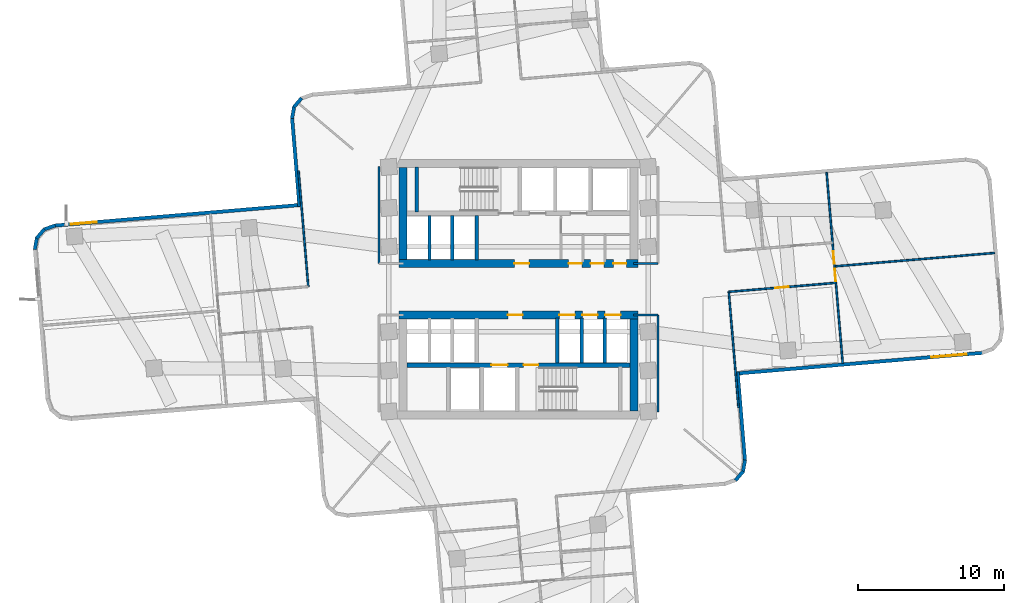
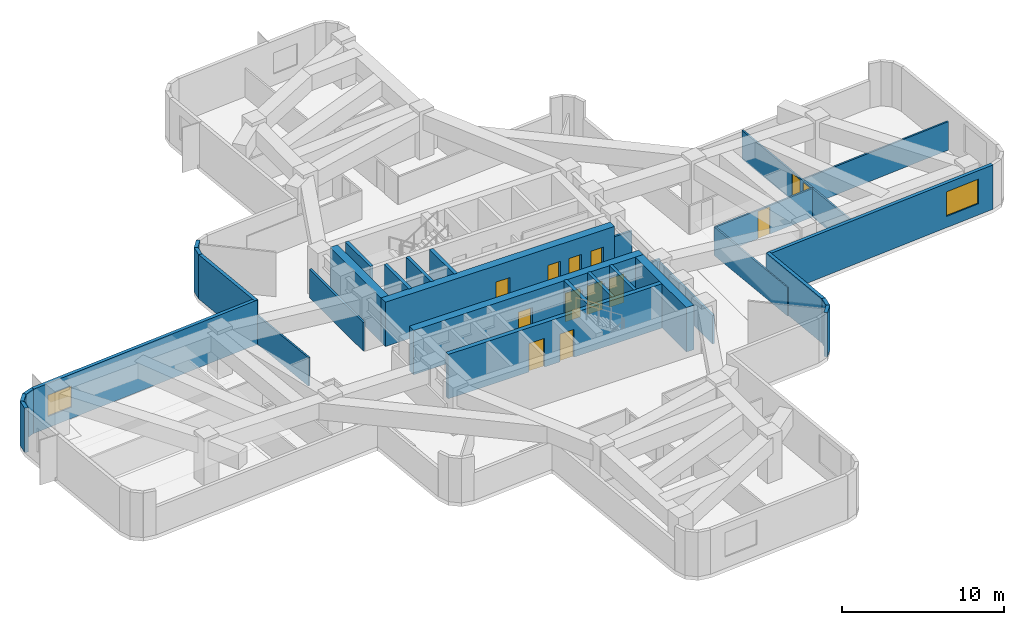
# One storey, part 4 of 11: 32 walls, 13 doors, 2 windows, 15 openings.
"""IFC4 building model written with IfcOpenShell, lengths in metres."""

from ifc_helpers import new_model, si_unit, direction, frame, frame_2d, origin, place, context, subcontext, project, spatial, rectangle, extrude, material, layer, layer_set, type_object, element, fill, save


model = new_model("IFC4")

# Units and contexts
model_context = context("Model", 3, precision=1e-05, world=origin(), true_north=direction((0.0, 1.0)))
body_context = subcontext(model_context, "Body", "Model", "MODEL_VIEW")
ifc_project = project(units=[si_unit("LENGTHUNIT", "METRE"), si_unit("AREAUNIT", "SQUARE_METRE"), si_unit("VOLUMEUNIT", "CUBIC_METRE"), si_unit("PLANEANGLEUNIT", "RADIAN"), si_unit("MASSUNIT", "GRAM", prefix="KILO")], contexts=[model_context])

# Site, building, storey
site_placement = place(None, origin())
site = spatial("IfcSite", under=ifc_project, at=site_placement, CompositionType="ELEMENT")
building_placement = place(site_placement, origin())
building = spatial("IfcBuilding", under=site, at=building_placement, Name="Solmarez Civic Tower", CompositionType="ELEMENT")
storey_placement = place(building_placement, frame((0.0, 0.0, 64.080078125)))
storey = spatial("IfcBuildingStorey", under=building, at=storey_placement, Name="L16", CompositionType="ELEMENT", Elevation=64.080078125)

# Wall, openings, doors
ifc_material_1 = material(Name="Concrete C60/75", Category="concrete")
ifc_layer_1 = layer(ifc_material_1, 0.550048828125)
ifc_layer_set_1 = layer_set([ifc_layer_1], Name="Concrete C60/75")
wall_type_1 = type_object("IfcWallType", Name="WALL-CORE-550", PredefinedType="SHEAR", material=ifc_layer_set_1)
wall_1_placement = place(storey_placement, frame((8.169921875, 1.75, 0.0), z_axis=(0.0, 0.0, 1.0), x_axis=(-1.0, 0.0, 0.0)))
wall_1 = element("IfcWall", 1, at=wall_1_placement, inside=storey, type_object=wall_type_1, Name="L16 Split-Core Structural Wall NCW-S-L16", PredefinedType="SHEAR", context=body_context, shape_type="SweptSolid", body=[
    extrude(rectangle(XDim=16.33984375, YDim=0.550048828125, at=frame_2d((8.169921875, 0.0))), origin(), (0.0, 0.0, 1.0), 3.33984375),
])
opening_1_placement = place(wall_1_placement, frame((7.449951171875, 0.0, 0.0)))
opening_1 = element("IfcOpeningElement", 2, at=opening_1_placement, cuts=wall_1, Name="Opening D-04", PredefinedType="OPENING", context=body_context, shape_type="SweptSolid", body=[
    extrude(rectangle(XDim=1.0, YDim=2.10009765625, at=frame_2d((0.5, 1.050048828125))), frame((0.0, 0.284912109375, 0.0), z_axis=(0.0, -1.0, 0.0), x_axis=(1.0, 0.0, 0.0)), (0.0, 0.0, 1.0), 0.570068359375),
])
opening_2_placement = place(wall_1_placement, frame((3.85009765625, 0.0, 0.0)))
opening_2 = element("IfcOpeningElement", 3, at=opening_2_placement, cuts=wall_1, Name="Opening D-09", PredefinedType="OPENING", context=body_context, shape_type="SweptSolid", body=[
    extrude(rectangle(XDim=0.89990234375, YDim=2.06005859375, at=frame_2d((0.449951171875, 1.030029296875))), frame((0.0, 0.284912109375, 0.0), z_axis=(0.0, -1.0, 0.0), x_axis=(1.0, 0.0, 0.0)), (0.0, 0.0, 1.0), 0.570068359375),
])
opening_3_placement = place(wall_1_placement, frame((2.35009765625, 0.0, 0.0)))
opening_3 = element("IfcOpeningElement", 4, at=opening_3_placement, cuts=wall_1, Name="Opening D-09", PredefinedType="OPENING", context=body_context, shape_type="SweptSolid", body=[
    extrude(rectangle(XDim=0.89990234375, YDim=2.06005859375, at=frame_2d((0.449951171875, 1.030029296875))), frame((0.0, 0.284912109375, 0.0), z_axis=(0.0, -1.0, 0.0), x_axis=(1.0, 0.0, 0.0)), (0.0, 0.0, 1.0), 0.570068359375),
])
opening_4_placement = place(wall_1_placement, frame((0.800048828125, 0.0, 0.0)))
opening_4 = element("IfcOpeningElement", 5, at=opening_4_placement, cuts=wall_1, Name="Opening D-09", PredefinedType="OPENING", context=body_context, shape_type="SweptSolid", body=[
    extrude(rectangle(XDim=0.89990234375, YDim=2.06005859375, at=frame_2d((0.449951171875, 1.030029296875))), frame((0.0, 0.284912109375, 0.0), z_axis=(0.0, -1.0, 0.0), x_axis=(1.0, 0.0, 0.0)), (0.0, 0.0, 1.0), 0.570068359375),
])
ifc_material_2 = material(Name="Steel-Faced Acoustic Fire Door", Category="steel")
door_type_1 = type_object("IfcDoorType", Name="DOOR-FD60-1000", OperationType="NOTDEFINED", PredefinedType="DOOR", material=ifc_material_2)
door_1_placement = place(opening_1_placement, origin())
door_1 = element("IfcDoor", 6, at=door_1_placement, inside=storey, type_object=door_type_1, Name="L16 North Firefighting Lobby Door", OperationType="SINGLE_SWING_LEFT", OverallHeight=2.10009765625, OverallWidth=1.0, PredefinedType="DOOR", context=body_context, shape_type="SweptSolid", body=[
    extrude(rectangle(XDim=1.0, YDim=2.10009765625, at=frame_2d((0.5, 1.050048828125))), frame((0.0, 0.02490234375, 0.0), z_axis=(0.0, -1.0, 0.0), x_axis=(1.0, 0.0, 0.0)), (0.0, 0.0, 1.0), 0.050048828125),
])
fill(opening_1, door_1)
ifc_material_3 = material(Name="Fire-Rated Service Core Door", Category="wood")
door_type_2 = type_object("IfcDoorType", Name="DOOR-FD60-900", OperationType="NOTDEFINED", PredefinedType="DOOR", material=ifc_material_3)
door_2_placement = place(opening_2_placement, origin())
door_2 = element("IfcDoor", 7, at=door_2_placement, inside=storey, type_object=door_type_2, Name="L16 Core WC Door", OperationType="SINGLE_SWING_RIGHT", OverallHeight=2.06005859375, OverallWidth=0.89990234375, PredefinedType="DOOR", context=body_context, shape_type="SweptSolid", body=[
    extrude(rectangle(XDim=0.89990234375, YDim=2.06005859375, at=frame_2d((0.449951171875, 1.030029296875))), frame((0.0, 0.02490234375, 0.0), z_axis=(0.0, -1.0, 0.0), x_axis=(1.0, 0.0, 0.0)), (0.0, 0.0, 1.0), 0.050048828125),
])
fill(opening_2, door_2)
door_3_placement = place(opening_3_placement, origin())
door_3 = element("IfcDoor", 8, at=door_3_placement, inside=storey, type_object=door_type_2, Name="L16 Core CL Door", OperationType="SINGLE_SWING_LEFT", OverallHeight=2.06005859375, OverallWidth=0.89990234375, PredefinedType="DOOR", context=body_context, shape_type="SweptSolid", body=[
    extrude(rectangle(XDim=0.89990234375, YDim=2.06005859375, at=frame_2d((0.449951171875, 1.030029296875))), frame((0.0, 0.02490234375, 0.0), z_axis=(0.0, -1.0, 0.0), x_axis=(1.0, 0.0, 0.0)), (0.0, 0.0, 1.0), 0.050048828125),
])
fill(opening_3, door_3)
door_4_placement = place(opening_4_placement, origin())
door_4 = element("IfcDoor", 9, at=door_4_placement, inside=storey, type_object=door_type_2, Name="L16 Core IT Door", OperationType="SINGLE_SWING_LEFT", OverallHeight=2.06005859375, OverallWidth=0.89990234375, PredefinedType="DOOR", context=body_context, shape_type="SweptSolid", body=[
    extrude(rectangle(XDim=0.89990234375, YDim=2.06005859375, at=frame_2d((0.449951171875, 1.030029296875))), frame((0.0, 0.02490234375, 0.0), z_axis=(0.0, -1.0, 0.0), x_axis=(1.0, 0.0, 0.0)), (0.0, 0.0, 1.0), 0.050048828125),
])
fill(opening_4, door_4)

# Wall
wall_2_placement = place(storey_placement, frame((-7.89501953125, 2.02490234375, 0.0), z_axis=(0.0, 0.0, 1.0), x_axis=(0.0, 1.0, 0.0)))
element("IfcWall", 10, at=wall_2_placement, inside=storey, type_object=wall_type_1, Name="L16 Split-Core Structural Wall NCW-W-L16", PredefinedType="SHEAR", context=body_context, shape_type="SweptSolid", body=[
    extrude(rectangle(XDim=6.28515625, YDim=0.550048828125, at=frame_2d((3.142578125, 0.0))), origin(), (0.0, 0.0, 1.0), 3.33984375),
])

# Wall, openings, doors
wall_3_placement = place(storey_placement, frame((-8.169921875, -1.75, 0.0), z_axis=(0.0, 0.0, 1.0), x_axis=(1.0, 0.0, 0.0)))
wall_3 = element("IfcWall", 11, at=wall_3_placement, inside=storey, type_object=wall_type_1, Name="L16 Split-Core Structural Wall SCW-N-L16", PredefinedType="SHEAR", context=body_context, shape_type="SweptSolid", body=[
    extrude(rectangle(XDim=16.33984375, YDim=0.550048828125, at=frame_2d((8.169921875, 0.0))), origin(), (0.0, 0.0, 1.0), 3.33984375),
])
opening_5_placement = place(wall_3_placement, frame((7.449951171875, 0.0, 0.0)))
opening_5 = element("IfcOpeningElement", 12, at=opening_5_placement, cuts=wall_3, Name="Opening D-04", PredefinedType="OPENING", context=body_context, shape_type="SweptSolid", body=[
    extrude(rectangle(XDim=1.0, YDim=2.10009765625, at=frame_2d((0.5, 1.050048828125))), frame((0.0, 0.284912109375, 0.0), z_axis=(0.0, -1.0, 0.0), x_axis=(1.0, 0.0, 0.0)), (0.0, 0.0, 1.0), 0.570068359375),
])
opening_6_placement = place(wall_3_placement, frame((10.965087890625, 0.0, 0.0)))
opening_6 = element("IfcOpeningElement", 13, at=opening_6_placement, cuts=wall_3, Name="Opening LD-01", PredefinedType="OPENING", context=body_context, shape_type="SweptSolid", body=[
    extrude(rectangle(XDim=1.050048828125, YDim=2.14990234375, at=frame_2d((0.52490234375, 1.074951171875))), frame((0.0, 0.284912109375, 0.0), z_axis=(0.0, -1.0, 0.0), x_axis=(1.0, 0.0, 0.0)), (0.0, 0.0, 1.0), 0.570068359375),
])
opening_7_placement = place(wall_3_placement, frame((12.52490234375, 0.0, 0.0)))
opening_7 = element("IfcOpeningElement", 14, at=opening_7_placement, cuts=wall_3, Name="Opening LD-01", PredefinedType="OPENING", context=body_context, shape_type="SweptSolid", body=[
    extrude(rectangle(XDim=1.050048828125, YDim=2.14990234375, at=frame_2d((0.52490234375, 1.074951171875))), frame((0.0, 0.284912109375, 0.0), z_axis=(0.0, -1.0, 0.0), x_axis=(1.0, 0.0, 0.0)), (0.0, 0.0, 1.0), 0.570068359375),
])
opening_8_placement = place(wall_3_placement, frame((14.0849609375, 0.0, 0.0)))
opening_8 = element("IfcOpeningElement", 15, at=opening_8_placement, cuts=wall_3, Name="Opening LD-01", PredefinedType="OPENING", context=body_context, shape_type="SweptSolid", body=[
    extrude(rectangle(XDim=1.050048828125, YDim=2.14990234375, at=frame_2d((0.52490234375, 1.074951171875))), frame((0.0, 0.284912109375, 0.0), z_axis=(0.0, -1.0, 0.0), x_axis=(1.0, 0.0, 0.0)), (0.0, 0.0, 1.0), 0.570068359375),
])
door_5_placement = place(opening_5_placement, origin())
door_5 = element("IfcDoor", 16, at=door_5_placement, inside=storey, type_object=door_type_1, Name="L16 South Firefighting Lobby Door", OperationType="SINGLE_SWING_RIGHT", OverallHeight=2.10009765625, OverallWidth=1.0, PredefinedType="DOOR", context=body_context, shape_type="SweptSolid", body=[
    extrude(rectangle(XDim=1.0, YDim=2.10009765625, at=frame_2d((0.5, 1.050048828125))), frame((0.0, 0.02490234375, 0.0), z_axis=(0.0, -1.0, 0.0), x_axis=(1.0, 0.0, 0.0)), (0.0, 0.0, 1.0), 0.050048828125),
])
fill(opening_5, door_5)
ifc_material_4 = material(Name="Bronze Passenger Lift Landing Sliding Door", Category="aluminium")
door_type_3 = type_object("IfcDoorType", Name="DOOR-LD-PAX-1050", OperationType="DOUBLE_DOOR_SLIDING", PredefinedType="DOOR", material=ifc_material_4)
door_6_placement = place(opening_6_placement, origin())
door_6 = element("IfcDoor", 17, at=door_6_placement, inside=storey, type_object=door_type_3, Name="L16 Low-Rise Lift Landing Door PL-L1", OperationType="DOUBLE_DOOR_SLIDING", OverallHeight=2.14990234375, OverallWidth=1.050048828125, PredefinedType="DOOR", context=body_context, shape_type="SweptSolid", body=[
    extrude(rectangle(XDim=1.050048828125, YDim=2.14990234375, at=frame_2d((0.52490234375, 1.074951171875))), frame((0.0, 0.02490234375, 0.0), z_axis=(0.0, -1.0, 0.0), x_axis=(1.0, 0.0, 0.0)), (0.0, 0.0, 1.0), 0.050048828125),
])
fill(opening_6, door_6)
door_7_placement = place(opening_7_placement, origin())
door_7 = element("IfcDoor", 18, at=door_7_placement, inside=storey, type_object=door_type_3, Name="L16 Low-Rise Lift Landing Door PL-L2", OperationType="DOUBLE_DOOR_SLIDING", OverallHeight=2.14990234375, OverallWidth=1.050048828125, PredefinedType="DOOR", context=body_context, shape_type="SweptSolid", body=[
    extrude(rectangle(XDim=1.050048828125, YDim=2.14990234375, at=frame_2d((0.52490234375, 1.074951171875))), frame((0.0, 0.02490234375, 0.0), z_axis=(0.0, -1.0, 0.0), x_axis=(1.0, 0.0, 0.0)), (0.0, 0.0, 1.0), 0.050048828125),
])
fill(opening_7, door_7)
door_8_placement = place(opening_8_placement, origin())
door_8 = element("IfcDoor", 19, at=door_8_placement, inside=storey, type_object=door_type_3, Name="L16 Low-Rise Lift Landing Door PL-L3", OperationType="DOUBLE_DOOR_SLIDING", OverallHeight=2.14990234375, OverallWidth=1.050048828125, PredefinedType="DOOR", context=body_context, shape_type="SweptSolid", body=[
    extrude(rectangle(XDim=1.050048828125, YDim=2.14990234375, at=frame_2d((0.52490234375, 1.074951171875))), frame((0.0, 0.02490234375, 0.0), z_axis=(0.0, -1.0, 0.0), x_axis=(1.0, 0.0, 0.0)), (0.0, 0.0, 1.0), 0.050048828125),
])
fill(opening_8, door_8)

# Walls
wall_4_placement = place(storey_placement, frame((7.89501953125, -2.02490234375, 0.0), z_axis=(0.0, 0.0, 1.0), x_axis=(0.0, -1.0, 0.0)))
element("IfcWall", 20, at=wall_4_placement, inside=storey, type_object=wall_type_1, Name="L16 Split-Core Structural Wall SCW-E-L16", PredefinedType="SHEAR", context=body_context, shape_type="SweptSolid", body=[
    extrude(rectangle(XDim=6.28515625, YDim=0.550048828125, at=frame_2d((3.142578125, 0.0))), origin(), (0.0, 0.0, 1.0), 3.33984375),
])
ifc_material_5 = material(Name="Precast concrete C40/50", Category="concrete")
ifc_layer_2 = layer(ifc_material_5, 0.239990234375)
ifc_layer_set_2 = layer_set([ifc_layer_2], Name="Precast concrete C40/50")
wall_type_2 = type_object("IfcWallType", Name="WALL-EXT-240", PredefinedType="SOLIDWALL", material=ifc_layer_set_2)
wall_5_placement = place(storey_placement, frame((-33.028076171875, 2.705078125, 0.0), z_axis=(0.0, 0.0, 1.0), x_axis=(0.175729613604, 0.984438470857, 0.0)))
element("IfcWall", 21, at=wall_5_placement, inside=storey, type_object=wall_type_2, Name="L16 Exterior Precast Wall 7", PredefinedType="SOLIDWALL", context=body_context, shape_type="SweptSolid", body=[
    extrude(rectangle(XDim=0.830810546875, YDim=0.239990234375, at=frame_2d((0.41552734375, 0.0))), origin(), (0.0, 0.0, 1.0), 3.33984375),
])
wall_6_placement = place(storey_placement, frame((-32.902099609375, 3.47900390625, 0.0), z_axis=(0.0, 0.0, 1.0), x_axis=(0.645067994637, 0.764125174494, 0.0)))
element("IfcWall", 22, at=wall_6_placement, inside=storey, type_object=wall_type_2, Name="L16 Exterior Precast Wall 8", PredefinedType="SOLIDWALL", context=body_context, shape_type="SweptSolid", body=[
    extrude(rectangle(XDim=0.814208984375, YDim=0.239990234375, at=frame_2d((0.4072265625, 0.0))), origin(), (0.0, 0.0, 1.0), 3.33984375),
])
wall_7_placement = place(storey_placement, frame((-32.4169921875, 4.073974609375, 0.0), z_axis=(0.0, 0.0, 1.0), x_axis=(0.941455621898, 0.337136933599, 0.0)))
element("IfcWall", 23, at=wall_7_placement, inside=storey, type_object=wall_type_2, Name="L16 Exterior Precast Wall 9", PredefinedType="SOLIDWALL", context=body_context, shape_type="SweptSolid", body=[
    extrude(rectangle(XDim=0.83056640625, YDim=0.239990234375, at=frame_2d((0.415283203125, 0.0))), origin(), (0.0, 0.0, 1.0), 3.33984375),
])

# Wall, opening, window
wall_8_placement = place(storey_placement, frame((-31.68408203125, 4.343994140625, 0.0), z_axis=(0.0, 0.0, 1.0), x_axis=(0.996492776291, 0.083678831256, 0.0)))
wall_8 = element("IfcWall", 24, at=wall_8_placement, inside=storey, type_object=wall_type_2, Name="L16 Exterior Precast Wall 10", PredefinedType="SOLIDWALL", context=body_context, shape_type="SweptSolid", body=[
    extrude(rectangle(XDim=16.875244140625, YDim=0.239990234375, at=frame_2d((8.4375, 0.0))), origin(), (0.0, 0.0, 1.0), 3.33984375),
])
opening_9_placement = place(wall_8_placement, frame((1.10009765625, 0.0, 0.85009765625)))
opening_9 = element("IfcOpeningElement", 25, at=opening_9_placement, cuts=wall_8, Name="Opening W-12", PredefinedType="OPENING", context=body_context, shape_type="SweptSolid", body=[
    extrude(rectangle(XDim=1.800048828125, YDim=1.60009765625, at=frame_2d((0.89990234375, 0.800048828125))), frame((0.0, 0.1298828125, 0.0), z_axis=(0.0, -1.0, 0.0), x_axis=(1.0, 0.0, 0.0)), (0.0, 0.0, 1.0), 0.260009765625),
])
ifc_material_6 = material(Name="Solar Control Bronze-Tinted Insulating Glass", Category="glass")
window_type_1 = type_object("IfcWindowType", Name="WIN-1800X1600", PartitioningType="SINGLE_PANEL", PredefinedType="WINDOW", material=ifc_material_6)
window_1_placement = place(opening_9_placement, origin())
window_1 = element("IfcWindow", 26, at=window_1_placement, inside=storey, type_object=window_type_1, Name="L16 Exterior Facade Window 10", OverallHeight=1.60009765625, OverallWidth=1.800048828125, PartitioningType="SINGLE_PANEL", PredefinedType="WINDOW", context=body_context, shape_type="SweptSolid", body=[
    extrude(rectangle(XDim=1.800048828125, YDim=1.60009765625, at=frame_2d((0.89990234375, 0.800048828125))), frame((0.0, 0.030029296875, 0.0), z_axis=(0.0, -1.0, 0.0), x_axis=(1.0, 0.0, 0.0)), (0.0, 0.0, 1.0), 0.06005859375),
])
fill(opening_9, window_1)

# Walls
wall_9_placement = place(storey_placement, frame((-14.9560546875, 5.652099609375, 0.0), z_axis=(0.0, 0.0, 1.0), x_axis=(-0.083627472659, 0.996497087711, 0.0)))
element("IfcWall", 27, at=wall_9_placement, inside=storey, type_object=wall_type_2, Name="L16 Exterior Precast Wall 13", PredefinedType="SOLIDWALL", context=body_context, shape_type="SweptSolid", body=[
    extrude(rectangle(XDim=6.0751953125, YDim=0.239990234375, at=frame_2d((3.03759765625, 0.0))), origin(), (0.0, 0.0, 1.0), 3.33984375),
])
wall_10_placement = place(storey_placement, frame((-15.466064453125, 11.656005859375, 0.0), z_axis=(0.0, 0.0, 1.0), x_axis=(0.175678791378, 0.98444754165, 0.0)))
element("IfcWall", 28, at=wall_10_placement, inside=storey, type_object=wall_type_2, Name="L16 Exterior Precast Wall 14", PredefinedType="SOLIDWALL", context=body_context, shape_type="SweptSolid", body=[
    extrude(rectangle(XDim=0.8310546875, YDim=0.239990234375, at=frame_2d((0.41552734375, 0.0))), origin(), (0.0, 0.0, 1.0), 3.33984375),
])
wall_11_placement = place(storey_placement, frame((-15.340087890625, 12.429931640625, 0.0), z_axis=(0.0, 0.0, 1.0), x_axis=(0.645767595037, 0.763534028842, 0.0)))
element("IfcWall", 29, at=wall_11_placement, inside=storey, type_object=wall_type_2, Name="L16 Exterior Precast Wall 15", PredefinedType="SOLIDWALL", context=body_context, shape_type="SweptSolid", body=[
    extrude(rectangle(XDim=0.814697265625, YDim=0.239990234375, at=frame_2d((0.4072265625, 0.0))), origin(), (0.0, 0.0, 1.0), 3.33984375),
])

# Wall, opening, window
wall_12_placement = place(storey_placement, frame((31.68408203125, -4.343994140625, 0.0), z_axis=(0.0, 0.0, 1.0), x_axis=(-0.996492776291, -0.083678831256, 0.0)))
wall_12 = element("IfcWall", 30, at=wall_12_placement, inside=storey, type_object=wall_type_2, Name="L16 Exterior Precast Wall 46", PredefinedType="SOLIDWALL", context=body_context, shape_type="SweptSolid", body=[
    extrude(rectangle(XDim=16.875244140625, YDim=0.239990234375, at=frame_2d((8.4375, 0.0))), origin(), (0.0, 0.0, 1.0), 3.33984375),
])
opening_10_placement = place(wall_12_placement, frame((1.10009765625, 0.0, 0.85009765625)))
opening_10 = element("IfcOpeningElement", 31, at=opening_10_placement, cuts=wall_12, Name="Opening W-06", PredefinedType="OPENING", context=body_context, shape_type="SweptSolid", body=[
    extrude(rectangle(XDim=2.39990234375, YDim=1.85009765625, at=frame_2d((1.199951171875, 0.925048828125))), frame((0.0, 0.1298828125, 0.0), z_axis=(0.0, -1.0, 0.0), x_axis=(1.0, 0.0, 0.0)), (0.0, 0.0, 1.0), 0.260009765625),
])
window_type_2 = type_object("IfcWindowType", Name="WIN-2400X1850", PartitioningType="SINGLE_PANEL", PredefinedType="WINDOW", material=ifc_material_6)
window_2_placement = place(opening_10_placement, origin())
window_2 = element("IfcWindow", 32, at=window_2_placement, inside=storey, type_object=window_type_2, Name="L16 Exterior Facade Window 46", OverallHeight=1.85009765625, OverallWidth=2.39990234375, PartitioningType="SINGLE_PANEL", PredefinedType="WINDOW", context=body_context, shape_type="SweptSolid", body=[
    extrude(rectangle(XDim=2.39990234375, YDim=1.85009765625, at=frame_2d((1.199951171875, 0.925048828125))), frame((0.0, 0.030029296875, 0.0), z_axis=(0.0, -1.0, 0.0), x_axis=(1.0, 0.0, 0.0)), (0.0, 0.0, 1.0), 0.06005859375),
])
fill(opening_10, window_2)

# Walls
wall_13_placement = place(storey_placement, frame((14.9560546875, -5.652099609375, 0.0), z_axis=(0.0, 0.0, 1.0), x_axis=(0.083627472659, -0.996497087711, 0.0)))
element("IfcWall", 33, at=wall_13_placement, inside=storey, type_object=wall_type_2, Name="L16 Exterior Precast Wall 49", PredefinedType="SOLIDWALL", context=body_context, shape_type="SweptSolid", body=[
    extrude(rectangle(XDim=6.0751953125, YDim=0.239990234375, at=frame_2d((3.03759765625, 0.0))), origin(), (0.0, 0.0, 1.0), 3.33984375),
])
wall_14_placement = place(storey_placement, frame((15.466064453125, -11.656005859375, 0.0), z_axis=(0.0, 0.0, 1.0), x_axis=(-0.175678791378, -0.98444754165, 0.0)))
element("IfcWall", 34, at=wall_14_placement, inside=storey, type_object=wall_type_2, Name="L16 Exterior Precast Wall 50", PredefinedType="SOLIDWALL", context=body_context, shape_type="SweptSolid", body=[
    extrude(rectangle(XDim=0.8310546875, YDim=0.239990234375, at=frame_2d((0.41552734375, 0.0))), origin(), (0.0, 0.0, 1.0), 3.33984375),
])
wall_15_placement = place(storey_placement, frame((15.340087890625, -12.429931640625, 0.0), z_axis=(0.0, 0.0, 1.0), x_axis=(-0.645767595037, -0.763534028842, 0.0)))
element("IfcWall", 35, at=wall_15_placement, inside=storey, type_object=wall_type_2, Name="L16 Exterior Precast Wall 51", PredefinedType="SOLIDWALL", context=body_context, shape_type="SweptSolid", body=[
    extrude(rectangle(XDim=0.814697265625, YDim=0.239990234375, at=frame_2d((0.4072265625, 0.0))), origin(), (0.0, 0.0, 1.0), 3.33984375),
])
ifc_material_7 = material(Name="Gypsum Board Acoustic Steel-Stud Partition", Category="steel")
ifc_layer_3 = layer(ifc_material_7, 0.14990234375)
ifc_layer_set_3 = layer_set([ifc_layer_3], Name="Gypsum Board Acoustic Steel-Stud Partition")
wall_type_3 = type_object("IfcWallType", Name="WALL-INT-FIRE-150", PredefinedType="PARTITIONING", material=ifc_layer_set_3)
wall_16_placement = place(storey_placement, frame((-9.52001953125, 1.75, 0.0), z_axis=(0.0, 0.0, 1.0), x_axis=(0.0, 1.0, 0.0)))
element("IfcWall", 36, at=wall_16_placement, inside=storey, type_object=wall_type_3, Name="L16 Interior Partition CHW-L16-WN1", PredefinedType="PARTITIONING", context=body_context, shape_type="SweptSolid", body=[
    extrude(rectangle(XDim=6.6298828125, YDim=0.14990234375, at=frame_2d((3.31494140625, 0.0))), origin(), (0.0, 0.0, 1.0), 2.15185546875),
])
wall_17_placement = place(storey_placement, frame((7.85009765625, 1.75, 0.0), z_axis=(0.0, 0.0, 1.0), x_axis=(1.0, 0.0, 0.0)))
element("IfcWall", 37, at=wall_17_placement, inside=storey, type_object=wall_type_3, Name="L16 Interior Partition CHW-L16-EN3", PredefinedType="PARTITIONING", context=body_context, shape_type="SweptSolid", body=[
    extrude(rectangle(XDim=1.669921875, YDim=0.14990234375, at=frame_2d((0.8349609375, 0.0))), origin(), (0.0, 0.0, 1.0), 2.405029296875),
])
wall_18_placement = place(storey_placement, frame((9.52001953125, -8.3798828125, 0.0), z_axis=(0.0, 0.0, 1.0), x_axis=(0.0, 1.0, 0.0)))
element("IfcWall", 38, at=wall_18_placement, inside=storey, type_object=wall_type_3, Name="L16 Interior Partition CHW-L16-ES1", PredefinedType="PARTITIONING", context=body_context, shape_type="SweptSolid", body=[
    extrude(rectangle(XDim=6.6298828125, YDim=0.14990234375, at=frame_2d((3.31494140625, 0.0))), origin(), (0.0, 0.0, 1.0), 2.15185546875),
])
wall_19_placement = place(storey_placement, frame((7.85009765625, -1.75, 0.0), z_axis=(0.0, 0.0, 1.0), x_axis=(1.0, 0.0, 0.0)))
element("IfcWall", 39, at=wall_19_placement, inside=storey, type_object=wall_type_3, Name="L16 Interior Partition CHW-L16-ES3", PredefinedType="PARTITIONING", context=body_context, shape_type="SweptSolid", body=[
    extrude(rectangle(XDim=1.669921875, YDim=0.14990234375, at=frame_2d((0.8349609375, 0.0))), origin(), (0.0, 0.0, 1.0), 2.405029296875),
])
ifc_layer_4 = layer(ifc_material_7, 0.1201171875)
ifc_layer_set_4 = layer_set([ifc_layer_4], Name="Gypsum Board Acoustic Steel-Stud Partition")
wall_type_4 = type_object("IfcWallType", Name="WALL-INT-PART-120", PredefinedType="PARTITIONING", material=ifc_layer_set_4)
wall_20_placement = place(storey_placement, frame((15.02001953125, -8.091064453125, 0.0), z_axis=(0.0, 0.0, 1.0), x_axis=(-0.083652878615, 0.99649495528, 0.0)))
element("IfcWall", 40, at=wall_20_placement, inside=storey, type_object=wall_type_4, Name="L16 Interior Partition PT-L16-E-EFR", PredefinedType="PARTITIONING", context=body_context, shape_type="SweptSolid", body=[
    extrude(rectangle(XDim=7.949951171875, YDim=0.1201171875, at=frame_2d((3.97509765625, 0.0))), origin(), (0.0, 0.0, 1.0), 2.15185546875),
])

# Wall, opening, door
wall_21_placement = place(storey_placement, frame((14.35498046875, -0.178955078125, 0.0), z_axis=(0.0, 0.0, 1.0), x_axis=(0.996495574947, 0.083645496662, 0.0)))
wall_21 = element("IfcWall", 41, at=wall_21_placement, inside=storey, type_object=wall_type_4, Name="L16 Interior Partition PT-L16-E-SR", PredefinedType="PARTITIONING", context=body_context, shape_type="SweptSolid", body=[
    extrude(rectangle(XDim=7.340576171875, YDim=0.1201171875, at=frame_2d((3.67041015625, 0.0))), origin(), (0.0, 0.0, 1.0), 2.15185546875),
])
opening_11_placement = place(wall_21_placement, frame((3.18994140625, 0.0, 0.0)))
opening_11 = element("IfcOpeningElement", 42, at=opening_11_placement, cuts=wall_21, Name="Opening D-08", PredefinedType="OPENING", context=body_context, shape_type="SweptSolid", body=[
    extrude(rectangle(XDim=0.89990234375, YDim=2.06005859375, at=frame_2d((0.449951171875, 1.030029296875))), frame((0.0, 0.070068359375, 0.0), z_axis=(0.0, -1.0, 0.0), x_axis=(1.0, 0.0, 0.0)), (0.0, 0.0, 1.0), 0.14013671875),
])
ifc_material_8 = material(Name="Solid-Core Timber Office Door", Category="wood")
door_type_4 = type_object("IfcDoorType", Name="DOOR-INT-900", OperationType="NOTDEFINED", PredefinedType="DOOR", material=ifc_material_8)
door_9_placement = place(opening_11_placement, origin())
door_9 = element("IfcDoor", 43, at=door_9_placement, inside=storey, type_object=door_type_4, Name="L16 Security Control Room Third East Door", OperationType="SINGLE_SWING_RIGHT", OverallHeight=2.06005859375, OverallWidth=0.89990234375, PredefinedType="DOOR", context=body_context, shape_type="SweptSolid", body=[
    extrude(rectangle(XDim=0.89990234375, YDim=2.06005859375, at=frame_2d((0.449951171875, 1.030029296875))), frame((0.0, 0.02490234375, 0.0), z_axis=(0.0, -1.0, 0.0), x_axis=(1.0, 0.0, 0.0)), (0.0, 0.0, 1.0), 0.050048828125),
])
fill(opening_11, door_9)

# Wall
wall_22_placement = place(storey_placement, frame((21.635009765625, 1.56591796875, 0.0), z_axis=(0.0, 0.0, 1.0), x_axis=(0.996496019183, 0.083640204167, 0.0)))
element("IfcWall", 44, at=wall_22_placement, inside=storey, type_object=wall_type_4, Name="L16 Interior Partition PT-L16-E-TM", PredefinedType="PARTITIONING", context=body_context, shape_type="SweptSolid", body=[
    extrude(rectangle(XDim=10.9052734375, YDim=0.1201171875, at=frame_2d((5.45263671875, 0.0))), origin(), (0.0, 0.0, 1.0), 2.15185546875),
])

# Wall, openings, doors
wall_23_placement = place(storey_placement, frame((21.034912109375, 7.98291015625, 0.0), z_axis=(0.0, 0.0, 1.0), x_axis=(0.083743136752, -0.996487374254, 0.0)))
wall_23 = element("IfcWall", 45, at=wall_23_placement, inside=storey, type_object=wall_type_4, Name="L16 Interior Partition PT-L16-E-END", PredefinedType="PARTITIONING", context=body_context, shape_type="SweptSolid", body=[
    extrude(rectangle(XDim=13.08984375, YDim=0.1201171875, at=frame_2d((6.544921875, 0.0))), origin(), (0.0, 0.0, 1.0), 2.15185546875),
])
opening_12_placement = place(wall_23_placement, frame((6.614990234375, 0.0, 0.0)))
opening_12 = element("IfcOpeningElement", 46, at=opening_12_placement, cuts=wall_23, Name="Opening D-14", PredefinedType="OPENING", context=body_context, shape_type="SweptSolid", body=[
    extrude(rectangle(XDim=0.860107421875, YDim=2.0400390625, at=frame_2d((0.43017578125, 1.02001953125))), frame((0.0, 0.070068359375, 0.0), z_axis=(0.0, -1.0, 0.0), x_axis=(1.0, 0.0, 0.0)), (0.0, 0.0, 1.0), 0.14013671875),
])
opening_13_placement = place(wall_23_placement, frame((5.4150390625, 0.0, 0.0)))
opening_13 = element("IfcOpeningElement", 47, at=opening_13_placement, cuts=wall_23, Name="Opening D-14", PredefinedType="OPENING", context=body_context, shape_type="SweptSolid", body=[
    extrude(rectangle(XDim=0.860107421875, YDim=2.0400390625, at=frame_2d((0.43017578125, 1.02001953125))), frame((0.0, 0.070068359375, 0.0), z_axis=(0.0, -1.0, 0.0), x_axis=(1.0, 0.0, 0.0)), (0.0, 0.0, 1.0), 0.14013671875),
])
ifc_material_9 = material(Name="Timber Storage and Pantry Door", Category="wood")
door_type_5 = type_object("IfcDoorType", Name="DOOR-INT-850", OperationType="NOTDEFINED", PredefinedType="DOOR", material=ifc_material_9)
door_10_placement = place(opening_12_placement, origin())
door_10 = element("IfcDoor", 48, at=door_10_placement, inside=storey, type_object=door_type_5, Name="L16 Ministry Conference Room Sixth East Door", OperationType="SINGLE_SWING_RIGHT", OverallHeight=2.0400390625, OverallWidth=0.860107421875, PredefinedType="DOOR", context=body_context, shape_type="SweptSolid", body=[
    extrude(rectangle(XDim=0.860107421875, YDim=2.0400390625, at=frame_2d((0.43017578125, 1.02001953125))), frame((0.0, 0.02490234375, 0.0), z_axis=(0.0, -1.0, 0.0), x_axis=(1.0, 0.0, 0.0)), (0.0, 0.0, 1.0), 0.050048828125),
])
fill(opening_12, door_10)
door_11_placement = place(opening_13_placement, origin())
door_11 = element("IfcDoor", 49, at=door_11_placement, inside=storey, type_object=door_type_5, Name="L16 Security Control Room Fifth East Door", OperationType="SINGLE_SWING_LEFT", OverallHeight=2.0400390625, OverallWidth=0.860107421875, PredefinedType="DOOR", context=body_context, shape_type="SweptSolid", body=[
    extrude(rectangle(XDim=0.860107421875, YDim=2.0400390625, at=frame_2d((0.43017578125, 1.02001953125))), frame((0.0, 0.02490234375, 0.0), z_axis=(0.0, -1.0, 0.0), x_axis=(1.0, 0.0, 0.0)), (0.0, 0.0, 1.0), 0.050048828125),
])
fill(opening_13, door_11)

# Wall
wall_24_placement = place(storey_placement, frame((-15.02001953125, 8.091064453125, 0.0), z_axis=(0.0, 0.0, 1.0), x_axis=(0.083652878615, -0.99649495528, 0.0)))
element("IfcWall", 50, at=wall_24_placement, inside=storey, type_object=wall_type_4, Name="L16 Interior Partition PT-L16-W-EFR", PredefinedType="PARTITIONING", context=body_context, shape_type="SweptSolid", body=[
    extrude(rectangle(XDim=7.949951171875, YDim=0.1201171875, at=frame_2d((3.97509765625, 0.0))), origin(), (0.0, 0.0, 1.0), 2.15185546875),
])

# Wall, openings, doors
ifc_material_10 = material(Name="Concrete C50/60", Category="concrete")
ifc_layer_5 = layer(ifc_material_10, 0.300048828125)
ifc_layer_set_5 = layer_set([ifc_layer_5], Name="Concrete C50/60")
wall_type_5 = type_object("IfcWallType", Name="WALL-STR-300", PredefinedType="SOLIDWALL", material=ifc_layer_set_5)
wall_25_placement = place(storey_placement, frame((-7.6201171875, -5.179931640625, 0.0), z_axis=(0.0, 0.0, 1.0), x_axis=(1.0, 0.0, 0.0)))
wall_25 = element("IfcWall", 51, at=wall_25_placement, inside=storey, type_object=wall_type_5, Name="L16 Split-Core Structural Wall SCW-M-L16", PredefinedType="SOLIDWALL", context=body_context, shape_type="SweptSolid", body=[
    extrude(rectangle(XDim=15.240234375, YDim=0.300048828125, at=frame_2d((7.6201171875, 0.0))), origin(), (0.0, 0.0, 1.0), 3.33984375),
])
opening_14_placement = place(wall_25_placement, frame((5.77001953125, 0.0, 0.0)))
opening_14 = element("IfcOpeningElement", 52, at=opening_14_placement, cuts=wall_25, Name="Opening LD-02", PredefinedType="OPENING", context=body_context, shape_type="SweptSolid", body=[
    extrude(rectangle(XDim=1.10009765625, YDim=2.14990234375, at=frame_2d((0.550048828125, 1.074951171875))), frame((0.0, 0.159912109375, 0.0), z_axis=(0.0, -1.0, 0.0), x_axis=(1.0, 0.0, 0.0)), (0.0, 0.0, 1.0), 0.320068359375),
])
opening_15_placement = place(wall_25_placement, frame((7.969970703125, 0.0, 0.0)))
opening_15 = element("IfcOpeningElement", 53, at=opening_15_placement, cuts=wall_25, Name="Opening D-05", PredefinedType="OPENING", context=body_context, shape_type="SweptSolid", body=[
    extrude(rectangle(XDim=1.0, YDim=2.10009765625, at=frame_2d((0.5, 1.050048828125))), frame((0.0, 0.159912109375, 0.0), z_axis=(0.0, -1.0, 0.0), x_axis=(1.0, 0.0, 0.0)), (0.0, 0.0, 1.0), 0.320068359375),
])
ifc_material_11 = material(Name="Fire-Rated Stairwell Exit Door", Category="wood")
door_type_6 = type_object("IfcDoorType", Name="DOOR-FD90-1000", OperationType="NOTDEFINED", PredefinedType="DOOR", material=ifc_material_11)
door_12_placement = place(opening_15_placement, origin())
door_12 = element("IfcDoor", 54, at=door_12_placement, inside=storey, type_object=door_type_6, Name="L16 South Exit Stair Door ST-2", OperationType="SINGLE_SWING_RIGHT", OverallHeight=2.10009765625, OverallWidth=1.0, PredefinedType="DOOR", context=body_context, shape_type="SweptSolid", body=[
    extrude(rectangle(XDim=1.0, YDim=2.10009765625, at=frame_2d((0.5, 1.050048828125))), frame((0.0, 0.02490234375, 0.0), z_axis=(0.0, -1.0, 0.0), x_axis=(1.0, 0.0, 0.0)), (0.0, 0.0, 1.0), 0.050048828125),
])
fill(opening_15, door_12)
ifc_material_12 = material(Name="Stainless Firefighting Lift Landing Sliding Door", Category="aluminium")
door_type_7 = type_object("IfcDoorType", Name="DOOR-LD-FF-1100", OperationType="DOUBLE_DOOR_SLIDING", PredefinedType="DOOR", material=ifc_material_12)
door_13_placement = place(opening_14_placement, origin())
door_13 = element("IfcDoor", 55, at=door_13_placement, inside=storey, type_object=door_type_7, Name="L16 Firefighting Lift Landing Door FFL-2", OperationType="DOUBLE_DOOR_SLIDING", OverallHeight=2.14990234375, OverallWidth=1.10009765625, PredefinedType="DOOR", context=body_context, shape_type="SweptSolid", body=[
    extrude(rectangle(XDim=1.10009765625, YDim=2.14990234375, at=frame_2d((0.550048828125, 1.074951171875))), frame((0.0, 0.02490234375, 0.0), z_axis=(0.0, -1.0, 0.0), x_axis=(1.0, 0.0, 0.0)), (0.0, 0.0, 1.0), 0.050048828125),
])
fill(opening_14, door_13)

# Walls
wall_26_placement = place(storey_placement, frame((-6.949951171875, 5.280029296875, 0.0), z_axis=(0.0, 0.0, 1.0), x_axis=(0.0, 1.0, 0.0)))
element("IfcWall", 56, at=wall_26_placement, inside=storey, type_object=wall_type_5, Name="L16 Split-Core Structural Wall SHW-NW-L16", PredefinedType="SOLIDWALL", context=body_context, shape_type="SweptSolid", body=[
    extrude(rectangle(XDim=3.06005859375, YDim=0.219970703125, at=frame_2d((1.530029296875, 0.0))), origin(), (0.0, 0.0, 1.0), 3.33984375),
])
for number, where, z_axis, x_axis, name in (
    (57, (-2.85009765625, 1.97998046875, 0.0), (0.0, 0.0, 1.0), (0.0, 1.0, 0.0), "L16 Split-Core Structural Wall SHW-NL1-L16"),
    (58, (2.64990234375, -5.050048828125, 0.0), (0.0, 0.0, 1.0), (0.0, 1.0, 0.0), "L16 Split-Core Structural Wall SHW-SL2-L16"),
):
    element("IfcWall", number, at=place(storey_placement, frame(where, z_axis=z_axis, x_axis=x_axis)), inside=storey, type_object=wall_type_5, Name=name, PredefinedType="SOLIDWALL", context=body_context, shape_type="SweptSolid", body=[
        extrude(rectangle(XDim=3.070068359375, YDim=0.25, at=frame_2d((1.53515625, 0.0))), origin(), (0.0, 0.0, 1.0), 3.33984375),
    ])
for number, where, z_axis, x_axis, name in (
    (59, (-6.080078125, 1.97998046875, 0.0), (0.0, 0.0, 1.0), (0.0, 1.0, 0.0), "L16 Split-Core Structural Wall SHW-PLH-L16-1"),
    (60, (-4.52001953125, 1.97998046875, 0.0), (0.0, 0.0, 1.0), (0.0, 1.0, 0.0), "L16 Split-Core Structural Wall SHW-PLH-L16-2"),
    (61, (4.320068359375, -5.050048828125, 0.0), (0.0, 0.0, 1.0), (0.0, 1.0, 0.0), "L16 Split-Core Structural Wall SHW-PLL-L16-1"),
    (62, (5.8798828125, -5.050048828125, 0.0), (0.0, 0.0, 1.0), (0.0, 1.0, 0.0), "L16 Split-Core Structural Wall SHW-PLL-L16-2"),
):
    element("IfcWall", number, at=place(storey_placement, frame(where, z_axis=z_axis, x_axis=x_axis)), inside=storey, type_object=wall_type_5, Name=name, PredefinedType="SOLIDWALL", context=body_context, shape_type="SweptSolid", body=[
        extrude(rectangle(XDim=3.070068359375, YDim=0.219970703125, at=frame_2d((1.53515625, 0.0))), origin(), (0.0, 0.0, 1.0), 3.33984375),
    ])

save(model, "model.ifc")
